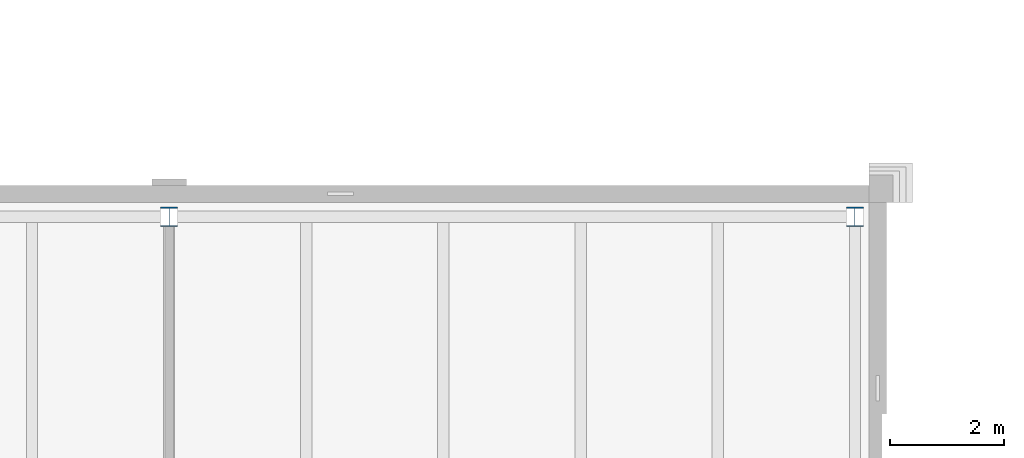
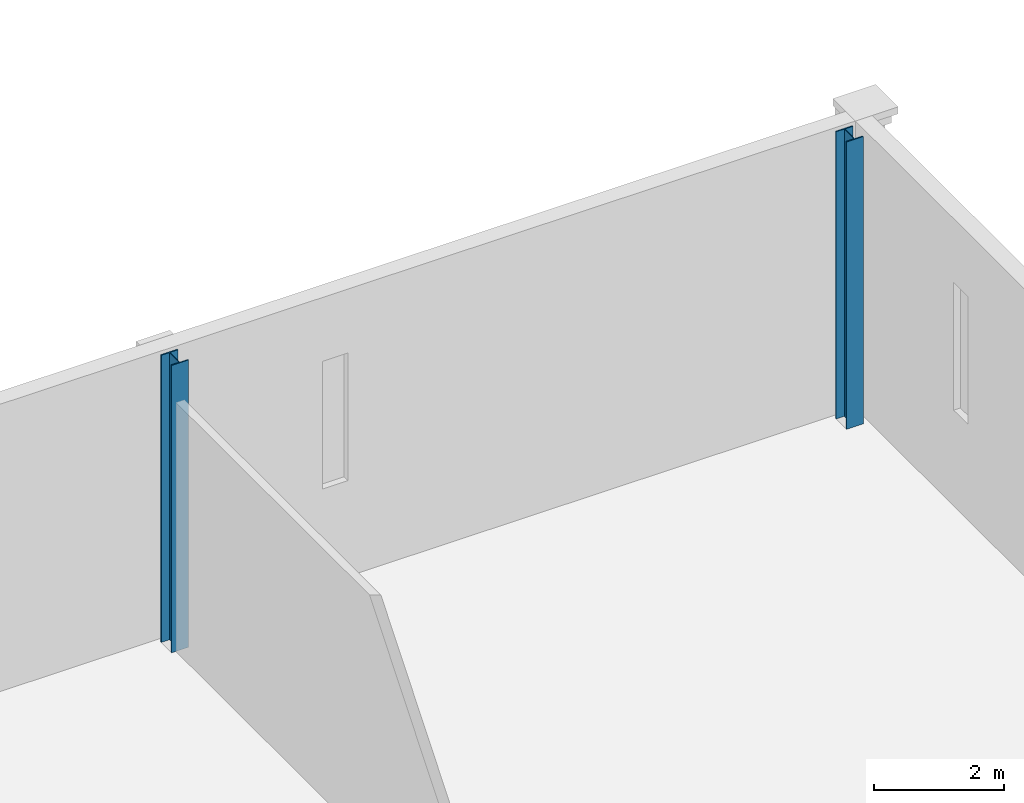
# One storey, part 32 of 170: 2 columns.
"""IFC4 building model written with IfcOpenShell, lengths in metres."""

from ifc_helpers import new_model, si_unit, direction, frame, origin, origin_2d, place, context, subcontext, project, spatial, i_section, extrude, material, material_profile, profile_set, type_object, element, save


model = new_model("IFC4")

# Units and contexts
model_context = context("Model", 3, precision=1e-05, world=origin(), true_north=direction((0.0, 1.0)))
body_context = subcontext(model_context, "Body", "Model", "MODEL_VIEW")
ifc_project = project(units=[si_unit("LENGTHUNIT", "METRE"), si_unit("AREAUNIT", "SQUARE_METRE"), si_unit("VOLUMEUNIT", "CUBIC_METRE"), si_unit("PLANEANGLEUNIT", "RADIAN"), si_unit("MASSUNIT", "GRAM", prefix="KILO")], contexts=[model_context])

# Site, building, storey
site_placement = place(None, origin())
site = spatial("IfcSite", under=ifc_project, at=site_placement, CompositionType="ELEMENT")
building_placement = place(site_placement, origin())
building = spatial("IfcBuilding", under=site, at=building_placement, Name="Ravi Spectrum Wholesale Market", CompositionType="ELEMENT")
storey_placement = place(building_placement, frame((0.0, 0.0, 5.39990234375)))
storey = spatial("IfcBuildingStorey", under=building, at=storey_placement, Name="L01", CompositionType="ELEMENT", Elevation=5.39990234375)

# Columns
ifc_material = material(Name="Steel S355", Category="steel")
ifc_material_profile = material_profile(ifc_material, i_section(OverallWidth=0.300048828125, OverallDepth=0.340087890625, WebThickness=0.011962890625, FlangeThickness=0.021484375, at=origin_2d()))
ifc_profile_set = profile_set([ifc_material_profile], Name="Steel S355")
column_type = type_object("IfcColumnType", Name="HEB 340 column", PredefinedType="COLUMN", material=ifc_profile_set)
for number, where, z_axis, x_axis, name in (
    (1, (270.0, 66.0, 0.0), (0.0, 0.0, 1.0), (1.0, 0.0, 0.0), "CS-COL-L01-035"),
    (2, (282.0, 66.0, 0.0), (0.0, 0.0, 1.0), (1.0, 0.0, 0.0), "CS-COL-L01-040"),
):
    element("IfcColumn", number, at=place(storey_placement, frame(where, z_axis=z_axis, x_axis=x_axis)), inside=storey, type_object=column_type, Name=name, PredefinedType="COLUMN", context=body_context, shape_type="SweptSolid", body=[
        extrude(i_section(OverallWidth=0.300048828125, OverallDepth=0.340087890625, WebThickness=0.011962890625, FlangeThickness=0.021484375, at=origin_2d()), origin(), (0.0, 0.0, 1.0), 5.400146484375),
    ])

save(model, "model.ifc")
